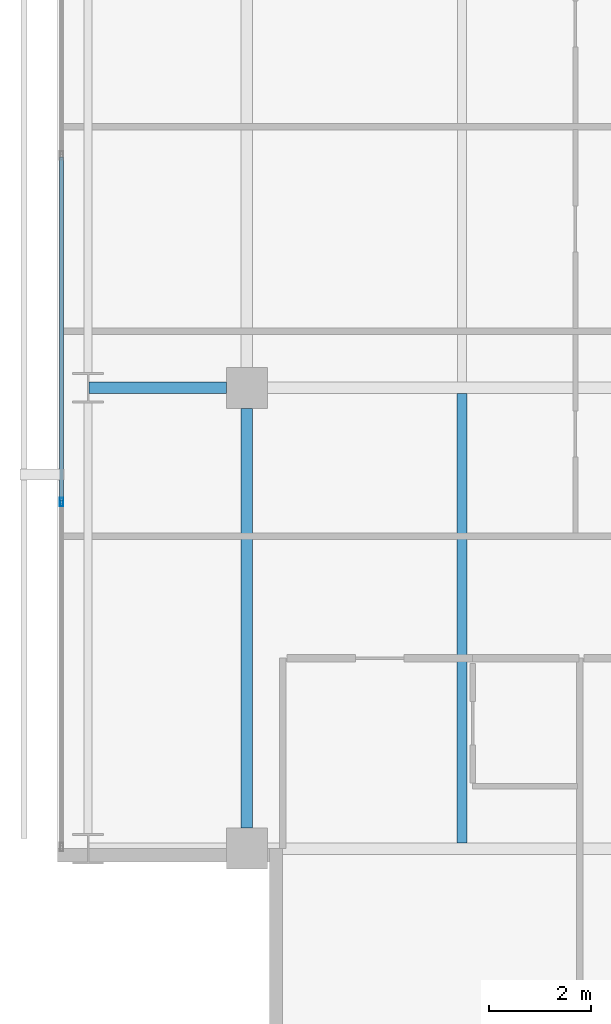
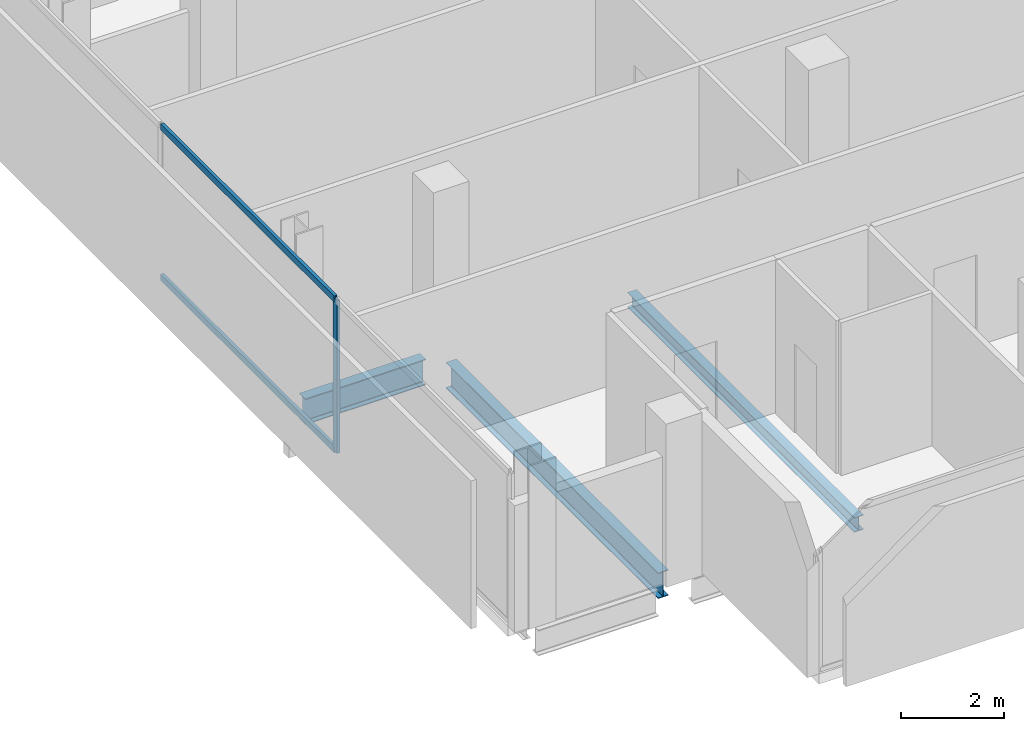
# One storey, part 4 of 34: 3 beams, 3 members, 1 element without a shape of its own.
"""IFC4 building model written with IfcOpenShell, lengths in metres."""

from ifc_helpers import new_model, si_unit, direction, frame, origin, origin_2d, place, context, subcontext, project, spatial, hollow_rectangle, i_section, extrude, material, layer, layer_set, material_profile, profile_set, type_object, element, aggregate, save


model = new_model("IFC4")

# Units and contexts
model_context = context("Model", 3, precision=1e-05, world=origin(), true_north=direction((0.0, 1.0)))
body_context = subcontext(model_context, "Body", "Model", "MODEL_VIEW")
ifc_project = project(units=[si_unit("LENGTHUNIT", "METRE"), si_unit("AREAUNIT", "SQUARE_METRE"), si_unit("VOLUMEUNIT", "CUBIC_METRE"), si_unit("PLANEANGLEUNIT", "RADIAN"), si_unit("MASSUNIT", "GRAM", prefix="KILO")], contexts=[model_context])

# Site, building, storey
site_placement = place(None, origin())
site = spatial("IfcSite", under=ifc_project, at=site_placement, CompositionType="ELEMENT")
building_placement = place(site_placement, origin())
building = spatial("IfcBuilding", under=site, at=building_placement, Name="Maruvema Waterfront Hotel and Observation Tower", CompositionType="ELEMENT")
storey_placement = place(building_placement, frame((0.0, 0.0, 127.39990234375)))
storey = spatial("IfcBuildingStorey", under=building, at=storey_placement, Name="L30", CompositionType="ELEMENT", Elevation=127.39990234375)

# Curtain wall, members
ifc_material_1 = material(Name="Anodised bronze aluminium and solar-control low-E IGU", Category="aluminium")
ifc_layer = layer(ifc_material_1, 0.159912109375, Name="Zone 2 Amber Inner Thermal Curtain Wall System CW-03")
ifc_layer_set = layer_set([ifc_layer], Name="Anodised bronze aluminium and solar-control low-E IGU")
curtain_wall_type = type_object("IfcCurtainWallType", Name="Zone 2 Amber Inner Thermal Curtain Wall System CW-03", PredefinedType="USERDEFINED", material=ifc_layer_set)
curtain_wall_placement = place(storey_placement, origin())
curtain_wall = element("IfcCurtainWall", 1, at=curtain_wall_placement, inside=storey, type_object=curtain_wall_type, Name="L30 Curtain Wall CW-L30-W", ObjectType="UNITISED CURTAIN WALL", PredefinedType="USERDEFINED")
ifc_material_2 = material(Name="Anodised architectural bronze aluminium", Category="aluminium")
ifc_material_profile_1 = material_profile(ifc_material_2, hollow_rectangle(XDim=0.070068359375, YDim=0.14990234375, WallThickness=0.00390625, at=origin_2d()), Name="ALU-T70x150")
ifc_profile_set_1 = profile_set([ifc_material_profile_1], Name="Anodised architectural bronze aluminium")
member_type_1 = type_object("IfcMemberType", Name="Curtain Wall Horizontal Transom ALU-T70x150", PredefinedType="USERDEFINED", material=ifc_profile_set_1)
member_1_placement = place(storey_placement, frame((13.179931640625, 22.50341796875, 0.030029296875), z_axis=(0.0, -1.0, 0.0), x_axis=(1.0, 0.0, 0.0)))
member_1 = element("IfcMember", 2, at=member_1_placement, type_object=member_type_1, Name="CW-03 transom 5.1", ObjectType="TRANSOM", PredefinedType="USERDEFINED", context=body_context, shape_type="SweptSolid", body=[
    extrude(hollow_rectangle(XDim=0.070068359375, YDim=0.14990234375, WallThickness=0.00390625, at=origin_2d()), origin(), (0.0, 0.0, 1.0), 6.706787109375),
])
member_2_placement = place(storey_placement, frame((13.179931640625, 22.50341796875, 3.580078125), z_axis=(0.0, -1.0, 0.0), x_axis=(1.0, 0.0, 0.0)))
member_2 = element("IfcMember", 3, at=member_2_placement, type_object=member_type_1, Name="CW-03 transom 5.2", ObjectType="TRANSOM", PredefinedType="USERDEFINED", context=body_context, shape_type="SweptSolid", body=[
    extrude(hollow_rectangle(XDim=0.070068359375, YDim=0.14990234375, WallThickness=0.00390625, at=origin_2d()), origin(), (0.0, 0.0, 1.0), 6.706787109375),
])
ifc_material_3 = material(Name="Anodised architectural bronze aluminium", Category="aluminium")
ifc_material_profile_2 = material_profile(ifc_material_3, hollow_rectangle(XDim=0.06494140625, YDim=0.1650390625, WallThickness=0.00390625, at=origin_2d()), Name="ALU-M65x165")
ifc_profile_set_2 = profile_set([ifc_material_profile_2], Name="Anodised architectural bronze aluminium")
member_type_2 = type_object("IfcMemberType", Name="Curtain Wall Primary Mullion ALU-M65x165", PredefinedType="MULLION", material=ifc_profile_set_2)
member_3_placement = place(storey_placement, frame((13.179931640625, 15.7666015625, 0.0), z_axis=(0.0, 0.0, 1.0), x_axis=(1.0, 0.0, 0.0)))
member_3 = element("IfcMember", 4, at=member_3_placement, type_object=member_type_2, Name="CW-03 mullion 6", PredefinedType="MULLION", context=body_context, shape_type="SweptSolid", body=[
    extrude(hollow_rectangle(XDim=0.06494140625, YDim=0.1650390625, WallThickness=0.00390625, at=origin_2d()), origin(), (0.0, 0.0, 1.0), 3.610107421875),
])
aggregate(curtain_wall, [member_3, member_1, member_2])

# Beams
ifc_material_4 = material(Name="Steel ASTM A572 Grade 50", Category="steel")
ifc_material_profile_3 = material_profile(ifc_material_4, i_section(OverallWidth=0.22900390625, OverallDepth=0.612060546875, WebThickness=0.011962890625, FlangeThickness=0.01953125, FilletRadius=0.01806640625, at=origin_2d()), Name="W610x125.0")
ifc_profile_set_3 = profile_set([ifc_material_profile_3], Name="Steel ASTM A572 Grade 50")
beam_type_1 = type_object("IfcBeamType", Name="Primary Floor Girder W610x125.0", PredefinedType="BEAM", material=ifc_profile_set_3)
beam_1_placement = place(storey_placement, frame((13.71240234375, 18.0, -0.5458984375), z_axis=(1.0, 0.0, 0.0), x_axis=(0.0, 1.0, 0.0)))
element("IfcBeam", 5, at=beam_1_placement, inside=storey, type_object=beam_type_1, Name="L30 Floor Girder EW-11", PredefinedType="BEAM", context=body_context, shape_type="SweptSolid", body=[
    extrude(i_section(OverallWidth=0.22900390625, OverallDepth=0.612060546875, WebThickness=0.011962890625, FlangeThickness=0.01953125, FilletRadius=0.01806640625, at=origin_2d()), origin(), (0.0, 0.0, 1.0), 2.6875),
])
beam_2_placement = place(storey_placement, frame((16.800048828125, 9.39990234375, -0.5458984375), z_axis=(0.0, 1.0, 0.0), x_axis=(-1.0, 0.0, 0.0)))
element("IfcBeam", 6, at=beam_2_placement, inside=storey, type_object=beam_type_1, Name="L30 Floor Girder NS-05", PredefinedType="BEAM", context=body_context, shape_type="SweptSolid", body=[
    extrude(i_section(OverallWidth=0.22900390625, OverallDepth=0.612060546875, WebThickness=0.011962890625, FlangeThickness=0.01953125, FilletRadius=0.01806640625, at=origin_2d()), origin(), (0.0, 0.0, 1.0), 8.2001953125),
])
ifc_material_5 = material(Name="Steel ASTM A572 Grade 50", Category="steel")
ifc_material_profile_4 = material_profile(ifc_material_5, i_section(OverallWidth=0.202880859375, OverallDepth=0.346923828125, WebThickness=0.0078125, FlangeThickness=0.013427734375, FilletRadius=0.014892578125, at=origin_2d()), Name="W360x64.0")
ifc_profile_set_4 = profile_set([ifc_material_profile_4], Name="Steel ASTM A572 Grade 50")
beam_type_2 = type_object("IfcBeamType", Name="Secondary Floor Joist W360x64.0", PredefinedType="JOIST", material=ifc_profile_set_4)
beam_3_placement = place(storey_placement, frame((21.0, 9.114501953125, -0.413330078125), z_axis=(0.0, 1.0, 0.0), x_axis=(-1.0, 0.0, 0.0)))
element("IfcBeam", 7, at=beam_3_placement, inside=storey, type_object=beam_type_2, Name="L30 Secondary Floor Joist JS-01", PredefinedType="JOIST", context=body_context, shape_type="SweptSolid", body=[
    extrude(i_section(OverallWidth=0.202880859375, OverallDepth=0.346923828125, WebThickness=0.0078125, FlangeThickness=0.013427734375, FilletRadius=0.014892578125, at=origin_2d()), origin(), (0.0, 0.0, 1.0), 8.77099609375),
])

save(model, "model.ifc")
